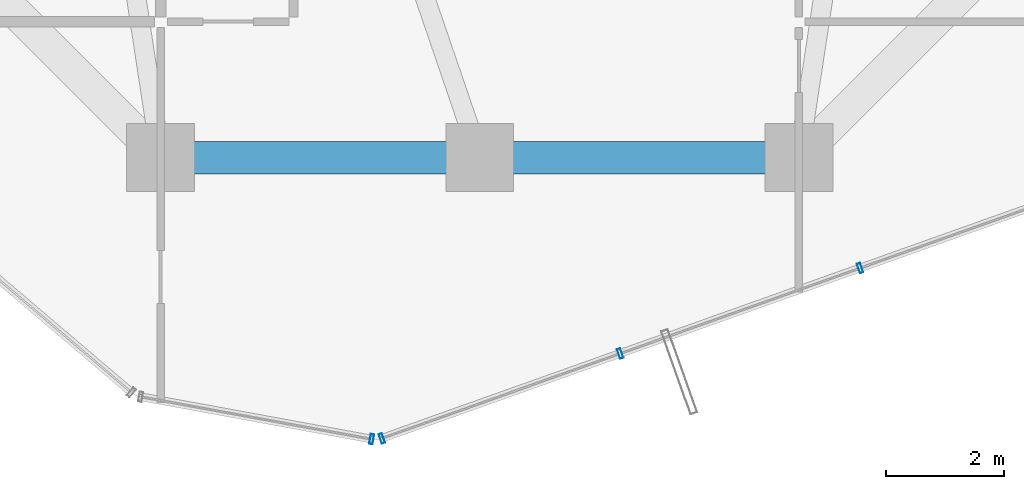
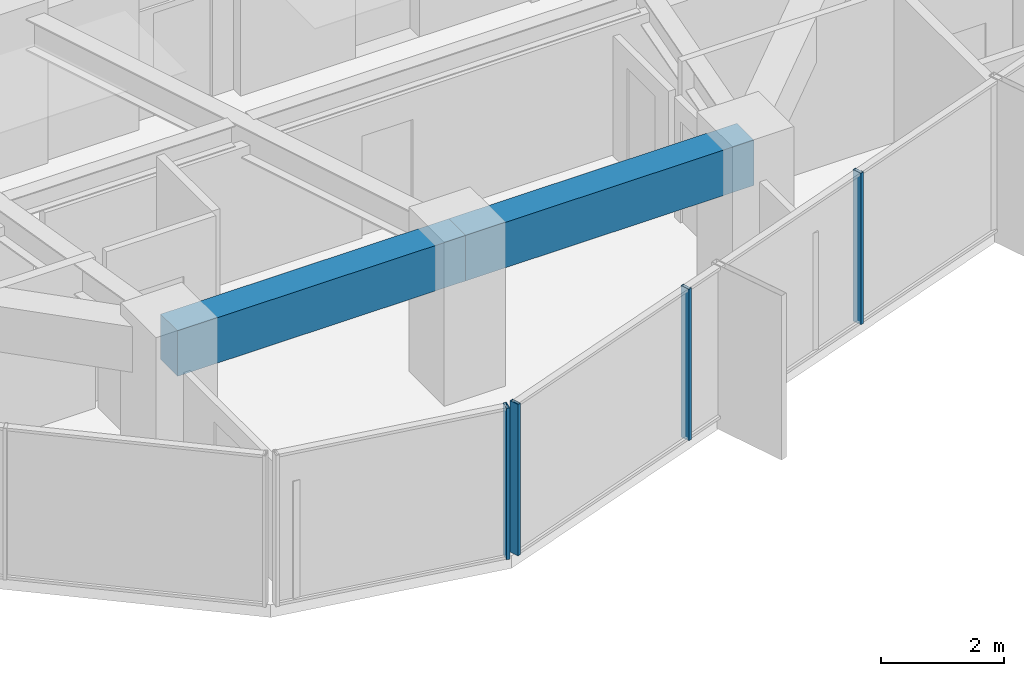
# One storey, part 7 of 33: 4 members, 2 beams, 2 elements without a shape of their own.
"""IFC4 building model written with IfcOpenShell, lengths in metres."""

from ifc_helpers import new_model, si_unit, direction, frame, origin, origin_2d, place, context, subcontext, project, spatial, rectangle, hollow_rectangle, extrude, source, transform, mapped, material, layer, layer_set, material_profile, profile_set, type_object, element, aggregate, save


model = new_model("IFC4")

# Units and contexts
model_context = context("Model", 3, precision=1e-05, world=origin(), true_north=direction((0.0, 1.0)))
body_context = subcontext(model_context, "Body", "Model", "MODEL_VIEW")
ifc_project = project(units=[si_unit("LENGTHUNIT", "METRE"), si_unit("AREAUNIT", "SQUARE_METRE"), si_unit("VOLUMEUNIT", "CUBIC_METRE"), si_unit("PLANEANGLEUNIT", "RADIAN"), si_unit("MASSUNIT", "GRAM", prefix="KILO")], contexts=[model_context])

# Site, building, storey
site_placement = place(None, origin())
site = spatial("IfcSite", under=ifc_project, at=site_placement, CompositionType="ELEMENT")
building_placement = place(site_placement, origin())
building = spatial("IfcBuilding", under=site, at=building_placement, Name="Veraguas Prism Commons", CompositionType="ELEMENT")
storey_placement = place(building_placement, frame((0.0, 0.0, 92.699951171875)))
storey = spatial("IfcBuildingStorey", under=building, at=storey_placement, Name="L25", CompositionType="ELEMENT", Elevation=92.699951171875)

# Beams
ifc_material_1 = material(Name="Concrete C50/60", Category="concrete")
ifc_material_profile_1 = material_profile(ifc_material_1, rectangle(XDim=0.550048828125, YDim=0.89990234375, at=origin_2d()), Name="RC550X900")
ifc_profile_set_1 = profile_set([ifc_material_profile_1], Name="Concrete C50/60")
beam_type = type_object("IfcBeamType", Name="Perimeter Spandrel Lower RC 550x900", PredefinedType="SPANDREL", material=ifc_profile_set_1)
for number, where, z_axis, x_axis, name in (
    (1, (18.60009765625, 7.800048828125, 2.550048828125), (1.0, 0.0, 0.0), (0.0, 1.0, 0.0), "Perimeter Spandrel Beam L25-SP10"),
    (2, (24.0, 7.800048828125, 2.550048828125), (1.0, 0.0, 0.0), (0.0, 1.0, 0.0), "Perimeter Spandrel Beam L25-SP11"),
):
    element("IfcBeam", number, at=place(storey_placement, frame(where, z_axis=z_axis, x_axis=x_axis)), inside=storey, type_object=beam_type, Name=name, PredefinedType="SPANDREL", context=body_context, shape_type="SweptSolid", body=[
        extrude(rectangle(XDim=0.550048828125, YDim=0.89990234375, at=origin_2d()), origin(), (0.0, 0.0, 1.0), 5.39990234375),
    ])

# Curtain wall, members
ifc_material_2 = material(Name="Anodised aluminium EN AW-6063 T6", Category="aluminium")
ifc_layer = layer(ifc_material_2, 0.169921875, Name="Unitised Flush Curtain Wall Zone 2", Category="aluminium")
ifc_layer_set = layer_set([ifc_layer], Name="Anodised aluminium EN AW-6063 T6")
curtain_wall_type = type_object("IfcCurtainWallType", Name="Unitised Flush Curtain Wall Zone 2", PredefinedType="NOTDEFINED", material=ifc_layer_set)
curtain_wall_1_placement = place(storey_placement, origin())
curtain_wall_1 = element("IfcCurtainWall", 3, at=curtain_wall_1_placement, inside=storey, type_object=curtain_wall_type, Name="Tower Facade Curtain Wall L25-F5", PredefinedType="NOTDEFINED")
ifc_material_profile_2 = material_profile(ifc_material_2, hollow_rectangle(XDim=0.06005859375, YDim=0.169921875, WallThickness=0.00390625, at=origin_2d()), Name="AL60X170X4")
ifc_profile_set_2 = profile_set([ifc_material_profile_2], Name="Anodised aluminium EN AW-6063 T6")
member_type = type_object("IfcMemberType", Name="Curtain Wall Mullion Lower AL 60x170x4", PredefinedType="MULLION", material=ifc_profile_set_2)
shared_shape = source(origin(), body_context, "Body", "SweptSolid", [
    extrude(hollow_rectangle(XDim=0.06005859375, YDim=0.169921875, WallThickness=0.00390625, at=origin_2d()), origin(), (0.0, 0.0, 1.0), 3.0),
])
member_1_placement = place(storey_placement, frame((22.34521484375, 3.04833984375, 0.0), z_axis=(0.0, 0.0, 1.0), x_axis=(0.942055696354, 0.335456502347, 0.0)))
member_1 = element("IfcMember", 4, at=member_1_placement, type_object=member_type, Name="CW-Z2 Mullion 1", PredefinedType="MULLION", context=body_context, shape_type="MappedRepresentation", body=[
    mapped(shared_shape, transform((0.0, 0.0, 0.0), scale=1.0)),
])
member_2_placement = place(storey_placement, frame((26.375732421875, 4.483642578125, 0.0), z_axis=(0.0, 0.0, 1.0), x_axis=(0.942055696354, 0.335456502347, 0.0)))
member_2 = element("IfcMember", 5, at=member_2_placement, type_object=member_type, Name="CW-Z2 Mullion 2", PredefinedType="MULLION", context=body_context, shape_type="MappedRepresentation", body=[
    mapped(shared_shape, transform((0.0, 0.0, 0.0), scale=1.0)),
])
member_3_placement = place(storey_placement, frame((30.434814453125, 5.928955078125, 0.0), z_axis=(0.0, 0.0, 1.0), x_axis=(0.942055696354, 0.335456502347, 0.0)))
member_3 = element("IfcMember", 6, at=member_3_placement, type_object=member_type, Name="CW-Z2 Mullion 3", PredefinedType="MULLION", context=body_context, shape_type="MappedRepresentation", body=[
    mapped(shared_shape, transform((0.0, 0.0, 0.0), scale=1.0)),
])
aggregate(curtain_wall_1, [member_1, member_2, member_3])

# Curtain wall, member
curtain_wall_2_placement = place(storey_placement, origin())
curtain_wall_2 = element("IfcCurtainWall", 7, at=curtain_wall_2_placement, inside=storey, type_object=curtain_wall_type, Name="Chamfer Curtain Wall L25-C5", PredefinedType="NOTDEFINED")
member_4_placement = place(storey_placement, frame((22.171875, 3.034423828125, 0.0), z_axis=(0.0, 0.0, 1.0), x_axis=(0.983565484031, -0.180551761616, 0.0)))
member_4 = element("IfcMember", 8, at=member_4_placement, type_object=member_type, Name="CW-Z2 Mullion 2", PredefinedType="MULLION", context=body_context, shape_type="MappedRepresentation", body=[
    mapped(shared_shape, transform((0.0, 0.0, 0.0), scale=1.0)),
])
aggregate(curtain_wall_2, [member_4])

save(model, "model.ifc")
